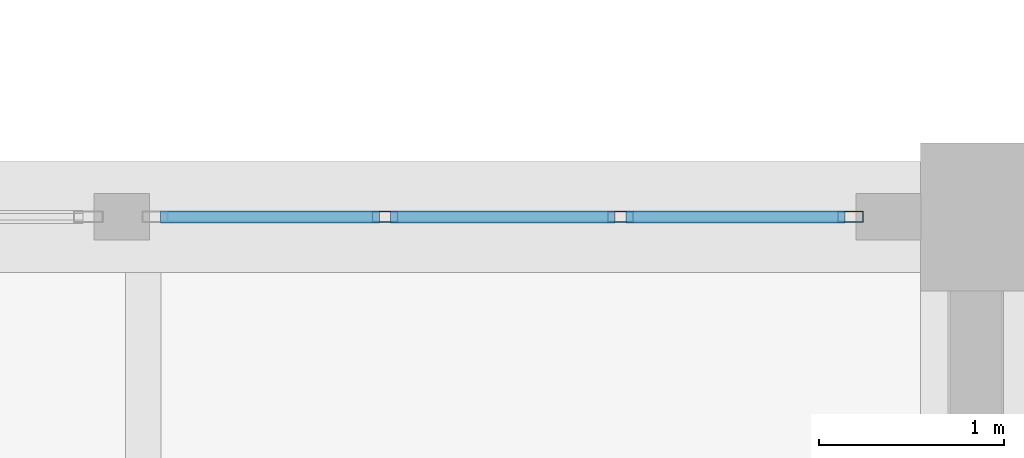
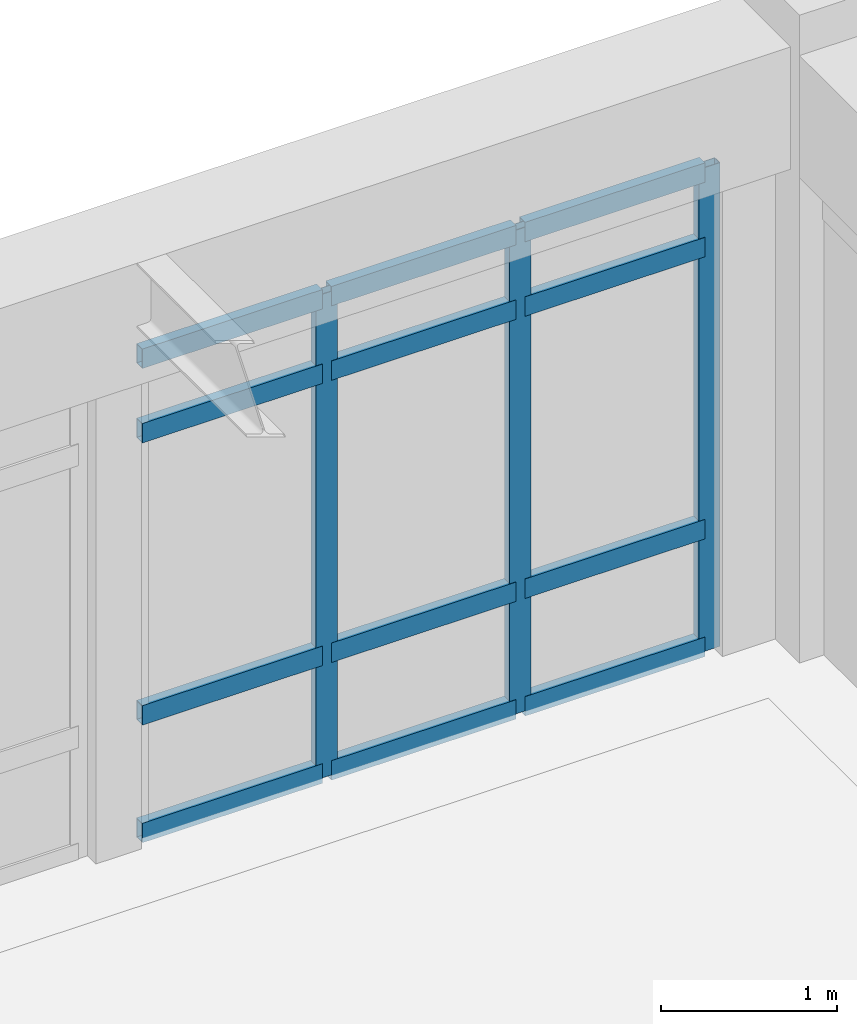
# One storey, part 39 of 80: 15 members, 1 element without a shape of its own.
"""IFC4 building model written with IfcOpenShell, lengths in metres."""

from ifc_helpers import new_model, si_unit, direction, frame, origin, origin_2d, place, context, subcontext, project, spatial, hollow_rectangle, extrude, material, layer, layer_set, material_profile, profile_set, type_object, element, aggregate, save


model = new_model("IFC4")

# Units and contexts
model_context = context("Model", 3, precision=1e-05, world=origin(), true_north=direction((0.0, 1.0)))
body_context = subcontext(model_context, "Body", "Model", "MODEL_VIEW")
ifc_project = project(units=[si_unit("LENGTHUNIT", "METRE"), si_unit("AREAUNIT", "SQUARE_METRE"), si_unit("VOLUMEUNIT", "CUBIC_METRE"), si_unit("PLANEANGLEUNIT", "RADIAN"), si_unit("MASSUNIT", "GRAM", prefix="KILO")], contexts=[model_context])

# Site, building, storey
site_placement = place(None, origin())
site = spatial("IfcSite", under=ifc_project, at=site_placement, CompositionType="ELEMENT")
building_placement = place(site_placement, origin())
building = spatial("IfcBuilding", under=site, at=building_placement, Name="Fikremerkos Civic Library", CompositionType="ELEMENT")
storey_placement = place(building_placement, frame((0.0, 0.0, 9.89990234375)))
storey = spatial("IfcBuildingStorey", under=building, at=storey_placement, Name="L02", CompositionType="ELEMENT", Elevation=9.89990234375)

# Curtain wall, members
ifc_material = material(Name="Anodized aluminium Frame", Category="aluminium")
ifc_layer = layer(ifc_material, 0.159912109375, Name="Anodized aluminium Frame")
ifc_layer_set = layer_set([ifc_layer], Name="Anodized aluminium Frame")
curtain_wall_type = type_object("IfcCurtainWallType", Name="Unitised curtain wall CW-03 4100x3600", PredefinedType="USERDEFINED", material=ifc_layer_set)
curtain_wall_placement = place(storey_placement, origin())
curtain_wall = element("IfcCurtainWall", 1, at=curtain_wall_placement, inside=storey, type_object=curtain_wall_type, Name="Unitised curtain wall CW-03 L02 #165", ObjectType="UNITISED CURTAIN WALL", PredefinedType="USERDEFINED")
ifc_material_profile_1 = material_profile(ifc_material, hollow_rectangle(XDim=0.06005859375, YDim=0.139892578125, WallThickness=0.00390625, at=origin_2d()), Name="ALU 140x60x4")
ifc_profile_set_1 = profile_set([ifc_material_profile_1], Name="Anodized aluminium Frame")
member_type_1 = type_object("IfcMemberType", Name="Curtain mullion CWM-03 ALU 140x60x4", PredefinedType="MULLION", material=ifc_profile_set_1)
member_1_placement = place(storey_placement, frame((97.006591796875, 48.0, 0.0), z_axis=(0.0, 0.0, 1.0), x_axis=(0.0, 1.0, 0.0)))
member_1 = element("IfcMember", 2, at=member_1_placement, type_object=member_type_1, Name="CW-03 mullion 2", PredefinedType="MULLION", context=body_context, shape_type="SweptSolid", body=[
    extrude(hollow_rectangle(XDim=0.06005859375, YDim=0.139892578125, WallThickness=0.00390625, at=origin_2d()), origin(), (0.0, 0.0, 1.0), 3.360107421875),
])
member_2_placement = place(storey_placement, frame((98.279296875, 48.0, 0.0), z_axis=(0.0, 0.0, 1.0), x_axis=(0.0, 1.0, 0.0)))
member_2 = element("IfcMember", 3, at=member_2_placement, type_object=member_type_1, Name="CW-03 mullion 3", PredefinedType="MULLION", context=body_context, shape_type="SweptSolid", body=[
    extrude(hollow_rectangle(XDim=0.06005859375, YDim=0.139892578125, WallThickness=0.00390625, at=origin_2d()), origin(), (0.0, 0.0, 1.0), 3.360107421875),
])
member_3_placement = place(storey_placement, frame((99.52197265625, 48.0, 0.0), z_axis=(0.0, 0.0, 1.0), x_axis=(0.0, 1.0, 0.0)))
member_3 = element("IfcMember", 4, at=member_3_placement, type_object=member_type_1, Name="CW-03 mullion 4", PredefinedType="MULLION", context=body_context, shape_type="SweptSolid", body=[
    extrude(hollow_rectangle(XDim=0.06005859375, YDim=0.139892578125, WallThickness=0.00390625, at=origin_2d()), origin(), (0.0, 0.0, 1.0), 3.360107421875),
])
ifc_material_profile_2 = material_profile(ifc_material, hollow_rectangle(XDim=0.06494140625, YDim=0.135009765625, WallThickness=0.00439453125, at=origin_2d()), Name="ALU 135x65x4.5")
ifc_profile_set_2 = profile_set([ifc_material_profile_2], Name="Anodized aluminium Frame")
member_type_2 = type_object("IfcMemberType", Name="Curtain transom CWT-02 ALU 135x65x4.5", PredefinedType="USERDEFINED", material=ifc_profile_set_2)
member_4_placement = place(storey_placement, frame((95.7939453125, 48.0, 0.03271484375), z_axis=(1.0, 0.0, 0.0), x_axis=(0.0, 1.0, 0.0)))
member_4 = element("IfcMember", 5, at=member_4_placement, type_object=member_type_2, Name="CW-03 transom 1.1", ObjectType="TRANSOM", PredefinedType="USERDEFINED", context=body_context, shape_type="SweptSolid", body=[
    extrude(hollow_rectangle(XDim=0.06494140625, YDim=0.135009765625, WallThickness=0.00439453125, at=origin_2d()), origin(), (0.0, 0.0, 1.0), 1.1826171875),
])
member_5_placement = place(storey_placement, frame((95.7939453125, 48.0, 0.85009765625), z_axis=(1.0, 0.0, 0.0), x_axis=(0.0, 1.0, 0.0)))
member_5 = element("IfcMember", 6, at=member_5_placement, type_object=member_type_2, Name="CW-03 transom 1.2", ObjectType="TRANSOM", PredefinedType="USERDEFINED", context=body_context, shape_type="SweptSolid", body=[
    extrude(hollow_rectangle(XDim=0.06494140625, YDim=0.135009765625, WallThickness=0.00439453125, at=origin_2d()), origin(), (0.0, 0.0, 1.0), 1.1826171875),
])
member_6_placement = place(storey_placement, frame((95.7939453125, 48.0, 2.81005859375), z_axis=(1.0, 0.0, 0.0), x_axis=(0.0, 1.0, 0.0)))
member_6 = element("IfcMember", 7, at=member_6_placement, type_object=member_type_2, Name="CW-03 transom 1.3", ObjectType="TRANSOM", PredefinedType="USERDEFINED", context=body_context, shape_type="SweptSolid", body=[
    extrude(hollow_rectangle(XDim=0.06494140625, YDim=0.135009765625, WallThickness=0.00439453125, at=origin_2d()), origin(), (0.0, 0.0, 1.0), 1.1826171875),
])
member_7_placement = place(storey_placement, frame((95.7939453125, 48.0, 3.32763671875), z_axis=(1.0, 0.0, 0.0), x_axis=(0.0, 1.0, 0.0)))
member_7 = element("IfcMember", 8, at=member_7_placement, type_object=member_type_2, Name="CW-03 transom 1.4", ObjectType="TRANSOM", PredefinedType="USERDEFINED", context=body_context, shape_type="SweptSolid", body=[
    extrude(hollow_rectangle(XDim=0.06494140625, YDim=0.135009765625, WallThickness=0.00439453125, at=origin_2d()), origin(), (0.0, 0.0, 1.0), 1.1826171875),
])
member_8_placement = place(storey_placement, frame((97.03662109375, 48.0, 0.03271484375), z_axis=(1.0, 0.0, 0.0), x_axis=(0.0, 1.0, 0.0)))
member_8 = element("IfcMember", 9, at=member_8_placement, type_object=member_type_2, Name="CW-03 transom 2.1", ObjectType="TRANSOM", PredefinedType="USERDEFINED", context=body_context, shape_type="SweptSolid", body=[
    extrude(hollow_rectangle(XDim=0.06494140625, YDim=0.135009765625, WallThickness=0.00439453125, at=origin_2d()), origin(), (0.0, 0.0, 1.0), 1.212646484375),
])
member_9_placement = place(storey_placement, frame((97.03662109375, 48.0, 0.85009765625), z_axis=(1.0, 0.0, 0.0), x_axis=(0.0, 1.0, 0.0)))
member_9 = element("IfcMember", 10, at=member_9_placement, type_object=member_type_2, Name="CW-03 transom 2.2", ObjectType="TRANSOM", PredefinedType="USERDEFINED", context=body_context, shape_type="SweptSolid", body=[
    extrude(hollow_rectangle(XDim=0.06494140625, YDim=0.135009765625, WallThickness=0.00439453125, at=origin_2d()), origin(), (0.0, 0.0, 1.0), 1.212646484375),
])
member_10_placement = place(storey_placement, frame((97.03662109375, 48.0, 2.81005859375), z_axis=(1.0, 0.0, 0.0), x_axis=(0.0, 1.0, 0.0)))
member_10 = element("IfcMember", 11, at=member_10_placement, type_object=member_type_2, Name="CW-03 transom 2.3", ObjectType="TRANSOM", PredefinedType="USERDEFINED", context=body_context, shape_type="SweptSolid", body=[
    extrude(hollow_rectangle(XDim=0.06494140625, YDim=0.135009765625, WallThickness=0.00439453125, at=origin_2d()), origin(), (0.0, 0.0, 1.0), 1.212646484375),
])
member_11_placement = place(storey_placement, frame((97.03662109375, 48.0, 3.32763671875), z_axis=(1.0, 0.0, 0.0), x_axis=(0.0, 1.0, 0.0)))
member_11 = element("IfcMember", 12, at=member_11_placement, type_object=member_type_2, Name="CW-03 transom 2.4", ObjectType="TRANSOM", PredefinedType="USERDEFINED", context=body_context, shape_type="SweptSolid", body=[
    extrude(hollow_rectangle(XDim=0.06494140625, YDim=0.135009765625, WallThickness=0.00439453125, at=origin_2d()), origin(), (0.0, 0.0, 1.0), 1.212646484375),
])
member_12_placement = place(storey_placement, frame((98.309326171875, 48.0, 0.03271484375), z_axis=(1.0, 0.0, 0.0), x_axis=(0.0, 1.0, 0.0)))
member_12 = element("IfcMember", 13, at=member_12_placement, type_object=member_type_2, Name="CW-03 transom 3.1", ObjectType="TRANSOM", PredefinedType="USERDEFINED", context=body_context, shape_type="SweptSolid", body=[
    extrude(hollow_rectangle(XDim=0.06494140625, YDim=0.135009765625, WallThickness=0.00439453125, at=origin_2d()), origin(), (0.0, 0.0, 1.0), 1.1826171875),
])
member_13_placement = place(storey_placement, frame((98.309326171875, 48.0, 0.85009765625), z_axis=(1.0, 0.0, 0.0), x_axis=(0.0, 1.0, 0.0)))
member_13 = element("IfcMember", 14, at=member_13_placement, type_object=member_type_2, Name="CW-03 transom 3.2", ObjectType="TRANSOM", PredefinedType="USERDEFINED", context=body_context, shape_type="SweptSolid", body=[
    extrude(hollow_rectangle(XDim=0.06494140625, YDim=0.135009765625, WallThickness=0.00439453125, at=origin_2d()), origin(), (0.0, 0.0, 1.0), 1.1826171875),
])
member_14_placement = place(storey_placement, frame((98.309326171875, 48.0, 2.81005859375), z_axis=(1.0, 0.0, 0.0), x_axis=(0.0, 1.0, 0.0)))
member_14 = element("IfcMember", 15, at=member_14_placement, type_object=member_type_2, Name="CW-03 transom 3.3", ObjectType="TRANSOM", PredefinedType="USERDEFINED", context=body_context, shape_type="SweptSolid", body=[
    extrude(hollow_rectangle(XDim=0.06494140625, YDim=0.135009765625, WallThickness=0.00439453125, at=origin_2d()), origin(), (0.0, 0.0, 1.0), 1.1826171875),
])
member_15_placement = place(storey_placement, frame((98.309326171875, 48.0, 3.32763671875), z_axis=(1.0, 0.0, 0.0), x_axis=(0.0, 1.0, 0.0)))
member_15 = element("IfcMember", 16, at=member_15_placement, type_object=member_type_2, Name="CW-03 transom 3.4", ObjectType="TRANSOM", PredefinedType="USERDEFINED", context=body_context, shape_type="SweptSolid", body=[
    extrude(hollow_rectangle(XDim=0.06494140625, YDim=0.135009765625, WallThickness=0.00439453125, at=origin_2d()), origin(), (0.0, 0.0, 1.0), 1.1826171875),
])
aggregate(curtain_wall, [member_1, member_2, member_3, member_4, member_5, member_6, member_7, member_8, member_9, member_10, member_11, member_12, member_13, member_14, member_15])

save(model, "model.ifc")
